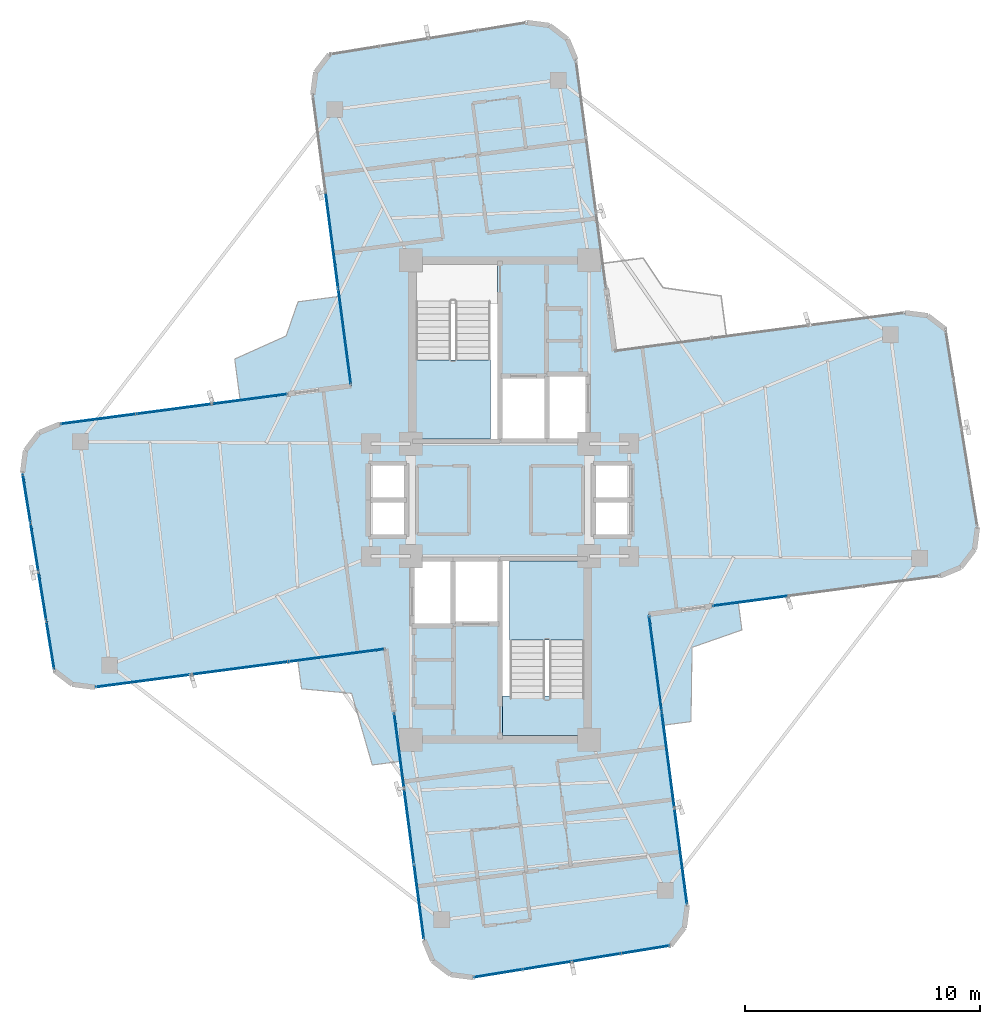
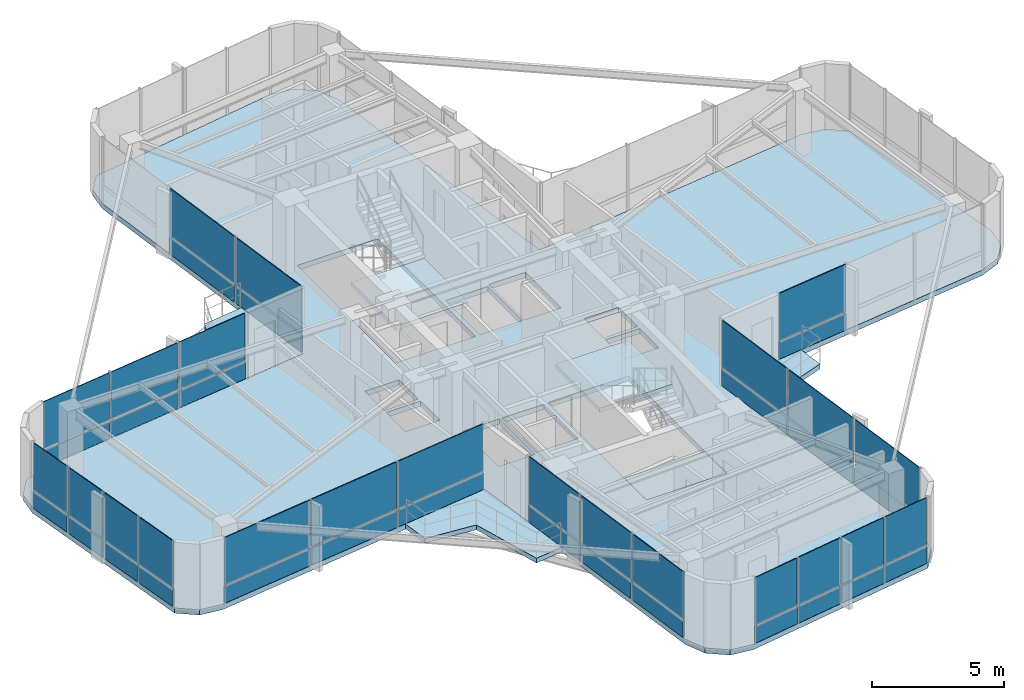
# One storey, part 16 of 21: 46 plates, 7 slabs, 10 elements without a shape of their own.
"""IFC4 building model written with IfcOpenShell, lengths in metres."""

from ifc_helpers import new_model, si_unit, direction, frame, origin, origin_2d, place, context, subcontext, project, spatial, polyline, rectangle, outline, extrude, source, transform, mapped, material, layer, layer_set, type_object, element, aggregate, save


model = new_model("IFC4")

# Units and contexts
model_context = context("Model", 3, precision=1e-05, world=origin(), true_north=direction((0.0, 1.0)))
body_context = subcontext(model_context, "Body", "Model", "MODEL_VIEW")
ifc_project = project(units=[si_unit("LENGTHUNIT", "METRE"), si_unit("AREAUNIT", "SQUARE_METRE"), si_unit("VOLUMEUNIT", "CUBIC_METRE"), si_unit("PLANEANGLEUNIT", "RADIAN"), si_unit("MASSUNIT", "GRAM", prefix="KILO")], contexts=[model_context])

# Site, building, storey
site_placement = place(None, origin())
site = spatial("IfcSite", under=ifc_project, at=site_placement, CompositionType="ELEMENT")
building_placement = place(site_placement, origin())
building = spatial("IfcBuilding", under=site, at=building_placement, Name="Sahyath Konkavel Grand Hotel", CompositionType="ELEMENT")
storey_placement = place(building_placement, frame((0.0, 0.0, 213.199951171875)))
storey = spatial("IfcBuildingStorey", under=building, at=storey_placement, Name="L59", CompositionType="ELEMENT", Elevation=213.199951171875)

# Slabs
ifc_material_1 = material(Name="Concrete C40/50", Category="concrete")
ifc_layer_1 = layer(ifc_material_1, 0.239990234375)
ifc_layer_set_1 = layer_set([ifc_layer_1], Name="Concrete C40/50")
slab_type_1 = type_object("IfcSlabType", Name="SLB-240", PredefinedType="FLOOR", material=ifc_layer_set_1)
slab_1_placement = place(storey_placement, frame((0.0, 0.0, -0.239990234375)))
element("IfcSlab", 1, at=slab_1_placement, inside=storey, type_object=slab_type_1, Name="L59 Structural Floor Slab", PredefinedType="FLOOR", context=body_context, shape_type="SweptSolid", body=[
    extrude(outline(polyline([(6.339111328125, -4.8642578125), (18.732177734375, -3.232666015625), (19.616943359375, -2.8662109375), (20.199951171875, -2.1064453125), (20.324951171875, -1.156982421875), (18.96630859375, 7.2626953125), (18.206787109375, 7.845703125), (17.25732421875, 7.970703125), (4.8642578125, 6.339111328125), (3.232666015625, 18.732177734375), (2.8662109375, 19.616943359375), (2.1064453125, 20.199951171875), (1.156982421875, 20.324951171875), (-7.2626953125, 18.96630859375), (-7.845703125, 18.206787109375), (-7.970703125, 17.25732421875), (-6.339111328125, 4.8642578125), (-18.732177734375, 3.232666015625), (-19.616943359375, 2.8662109375), (-20.199951171875, 2.1064453125), (-20.324951171875, 1.156982421875), (-18.96630859375, -7.2626953125), (-18.206787109375, -7.845703125), (-17.25732421875, -7.970703125), (-4.8642578125, -6.339111328125), (-3.232666015625, -18.732177734375), (-2.8662109375, -19.616943359375), (-2.1064453125, -20.199951171875), (-1.156982421875, -20.324951171875), (7.2626953125, -18.96630859375), (7.845703125, -18.206787109375), (7.970703125, -17.25732421875), (6.339111328125, -4.8642578125)]), holes=[polyline([(-3.6201171875, 2.580078125), (-0.10009765625, 2.580078125), (-0.10009765625, 10.02001953125), (-3.6201171875, 10.02001953125), (-3.6201171875, 2.580078125)]), polyline([(0.10009765625, -10.02001953125), (3.6201171875, -10.02001953125), (3.6201171875, -2.580078125), (0.10009765625, -2.580078125), (0.10009765625, -10.02001953125)]), polyline([(0.10009765625, 2.60009765625), (1.949951171875, 2.60009765625), (1.949951171875, 5.199951171875), (0.10009765625, 5.199951171875), (0.10009765625, 2.60009765625)]), polyline([(-1.949951171875, -5.199951171875), (-0.10009765625, -5.199951171875), (-0.10009765625, -2.60009765625), (-1.949951171875, -2.60009765625), (-1.949951171875, -5.199951171875)]), polyline([(2.050048828125, 2.60009765625), (3.64990234375, 2.60009765625), (3.64990234375, 5.300048828125), (2.050048828125, 5.300048828125), (2.050048828125, 2.60009765625)]), polyline([(-3.64990234375, -5.300048828125), (-2.050048828125, -5.300048828125), (-2.050048828125, -2.60009765625), (-3.64990234375, -2.60009765625), (-3.64990234375, -5.300048828125)]), polyline([(4.050048828125, 0.080078125), (5.550048828125, 0.080078125), (5.550048828125, 1.5400390625), (4.050048828125, 1.5400390625), (4.050048828125, 0.080078125)]), polyline([(4.050048828125, -1.5400390625), (5.550048828125, -1.5400390625), (5.550048828125, -0.080078125), (4.050048828125, -0.080078125), (4.050048828125, -1.5400390625)]), polyline([(-5.550048828125, 0.080078125), (-4.050048828125, 0.080078125), (-4.050048828125, 1.5400390625), (-5.550048828125, 1.5400390625), (-5.550048828125, 0.080078125)]), polyline([(-5.550048828125, -1.5400390625), (-4.050048828125, -1.5400390625), (-4.050048828125, -0.080078125), (-5.550048828125, -0.080078125), (-5.550048828125, -1.5400390625)])]), origin(), (0.0, 0.0, 1.0), 0.239990234375),
])
ifc_layer_2 = layer(ifc_material_1, 0.219970703125)
ifc_layer_set_2 = layer_set([ifc_layer_2], Name="Concrete C40/50")
slab_type_2 = type_object("IfcSlabType", Name="SLB-BALCONY-220", PredefinedType="FLOOR", material=ifc_layer_set_2)
slab_2_placement = place(storey_placement, frame((0.0, 0.0, -0.219970703125)))
element("IfcSlab", 2, at=slab_2_placement, inside=storey, type_object=slab_type_2, Name="L59 Winter-Garden Balcony NW", PredefinedType="FLOOR", context=body_context, shape_type="SweptSolid", body=[
    extrude(outline(polyline([(-6.339111328125, 4.8642578125), (-6.840087890625, 8.66845703125), (-8.59814453125, 8.43701171875), (-9.1025390625, 6.984619140625), (-11.29296875, 6.000732421875), (-11.061279296875, 4.242431640625), (-6.339111328125, 4.8642578125)])), origin(), (0.0, 0.0, 1.0), 0.219970703125),
])
slab_3_placement = place(storey_placement, frame((0.0, 0.0, -0.219970703125)))
element("IfcSlab", 3, at=slab_3_placement, inside=storey, type_object=slab_type_2, Name="L59 Winter-Garden Balcony SW", PredefinedType="FLOOR", context=body_context, shape_type="SweptSolid", body=[
    extrude(outline(polyline([(-4.8642578125, -6.339111328125), (-8.60693359375, -6.831787109375), (-8.448486328125, -8.035400390625), (-6.315673828125, -8.230712890625), (-5.43798828125, -11.28125), (-4.234375, -11.122802734375), (-4.8642578125, -6.339111328125)])), origin(), (0.0, 0.0, 1.0), 0.219970703125),
])
slab_4_placement = place(storey_placement, frame((0.0, 0.0, -0.219970703125)))
element("IfcSlab", 4, at=slab_4_placement, inside=storey, type_object=slab_type_2, Name="L59 Winter-Garden Balcony SE", PredefinedType="FLOOR", context=body_context, shape_type="SweptSolid", body=[
    extrude(outline(polyline([(6.339111328125, -4.8642578125), (6.960693359375, -9.58642578125), (8.12939453125, -9.4326171875), (8.17578125, -6.2734375), (10.297119140625, -5.531982421875), (10.143310546875, -4.36328125), (6.339111328125, -4.8642578125)])), origin(), (0.0, 0.0, 1.0), 0.219970703125),
])

# Stair, slab
stair_type = type_object("IfcStairType", Name="STR-ST16-335", PredefinedType="HALF_TURN_STAIR", material=ifc_material_1)
stair_1_placement = place(storey_placement, origin())
stair_1 = element("IfcStair", 5, at=stair_1_placement, inside=storey, type_object=stair_type, Name="L59 North Core Smokeproof Exit Stair ST-1", PredefinedType="HALF_TURN_STAIR")
ifc_layer_3 = layer(ifc_material_1, 0.199951171875)
ifc_layer_set_3 = layer_set([ifc_layer_3], Name="Concrete C40/50")
slab_type_3 = type_object("IfcSlabType", Name="SLB-STAIR-LND", PredefinedType="LANDING", material=ifc_layer_set_3)
slab_5_placement = place(storey_placement, frame((0.0, 0.0, 1.47509765625)))
slab_5 = element("IfcSlab", 6, at=slab_5_placement, type_object=slab_type_3, Name="ST-1 landing 1", PredefinedType="LANDING", context=body_context, shape_type="SweptSolid", body=[
    extrude(outline(polyline([(-3.60009765625, 5.9599609375), (-3.60009765625, 2.60009765625), (-0.39990234375, 2.60009765625), (-0.39990234375, 5.9599609375), (-3.60009765625, 5.9599609375)])), origin(), (0.0, 0.0, 1.0), 0.199951171875),
])
aggregate(stair_1, [slab_5])

stair_2_placement = place(storey_placement, origin())
stair_2 = element("IfcStair", 7, at=stair_2_placement, inside=storey, type_object=stair_type, Name="L59 South Core Smokeproof Exit Stair ST-2", PredefinedType="HALF_TURN_STAIR")
slab_6_placement = place(storey_placement, frame((0.0, 0.0, 1.47509765625)))
slab_6 = element("IfcSlab", 8, at=slab_6_placement, type_object=slab_type_3, Name="ST-2 landing 1", PredefinedType="LANDING", context=body_context, shape_type="SweptSolid", body=[
    extrude(outline(polyline([(3.60009765625, -5.9599609375), (3.60009765625, -2.60009765625), (0.39990234375, -2.60009765625), (0.39990234375, -5.9599609375), (3.60009765625, -5.9599609375)])), origin(), (0.0, 0.0, 1.0), 0.199951171875),
])
aggregate(stair_2, [slab_6])

# Slab
slab_7_placement = place(storey_placement, frame((0.0, 0.0, -0.199951171875)))
element("IfcSlab", 9, at=slab_7_placement, inside=storey, type_object=slab_type_3, Name="L59 Stair ST-2 Floor Landing Slab", PredefinedType="LANDING", context=body_context, shape_type="SweptSolid", body=[
    extrude(outline(polyline([(0.10009765625, -10.02001953125), (3.6201171875, -10.02001953125), (3.6201171875, -8.35009765625), (0.10009765625, -8.35009765625), (0.10009765625, -10.02001953125)])), origin(), (0.0, 0.0, 1.0), 0.199951171875),
])

# Curtain wall, plate
ifc_material_2 = material(Name="Anodised Bronze Aluminium & Low-E Glazing", Category="aluminium")
curtain_wall_type = type_object("IfcCurtainWallType", Name="CW-ZONE4", PredefinedType="NOTDEFINED", material=ifc_material_2)
curtain_wall_1_placement = place(storey_placement, origin())
curtain_wall_1 = element("IfcCurtainWall", 10, at=curtain_wall_1_placement, inside=storey, type_object=curtain_wall_type, Name="L59 Unitised Curtain Wall F0", PredefinedType="NOTDEFINED")
ifc_material_3 = material(Name="Warm Buff Sandstone Cladding", Category="masonry")
ifc_layer_4 = layer(ifc_material_3, 0.074951171875)
ifc_layer_set_4 = layer_set([ifc_layer_4], Name="Warm Buff Sandstone Cladding")
plate_type_1 = type_object("IfcPlateType", Name="PNL-SPANDREL-STONE", PredefinedType="SHEET", material=ifc_layer_set_4)
shared_shape_1 = source(origin(), body_context, "Body", "SweptSolid", [
    extrude(rectangle(XDim=3.159912109375, YDim=0.074951171875, at=origin_2d()), origin(), (0.0, 0.0, 1.0), 0.77001953125),
])
plate_1_placement = place(storey_placement, frame((10.661865234375, -4.295166015625, 0.0400390625), z_axis=(0.0, 0.0, 1.0), x_axis=(0.991444861374, 0.13052619222, 0.0)))
plate_1 = element("IfcPlate", 11, at=plate_1_placement, type_object=plate_type_1, Name="L59 Sandstone Relief Spandrel Panel F0-0", PredefinedType="SHEET", context=body_context, shape_type="MappedRepresentation", body=[
    mapped(shared_shape_1, transform((0.0, 0.0, 0.0), scale=1.0)),
])

# Curtain wall, plates
curtain_wall_2_placement = place(storey_placement, origin())
curtain_wall_2 = element("IfcCurtainWall", 12, at=curtain_wall_2_placement, inside=storey, type_object=curtain_wall_type, Name="L59 Unitised Curtain Wall F16", PredefinedType="NOTDEFINED")
plate_2_placement = place(storey_placement, frame((-10.661865234375, 4.295166015625, 0.0400390625), z_axis=(0.0, 0.0, 1.0), x_axis=(-0.991444861374, -0.13052619222, 0.0)))
plate_2 = element("IfcPlate", 13, at=plate_2_placement, type_object=plate_type_1, Name="L59 Sandstone Relief Spandrel Panel F16-0", PredefinedType="SHEET", context=body_context, shape_type="MappedRepresentation", body=[
    mapped(shared_shape_1, transform((0.0, 0.0, 0.0), scale=1.0)),
])
plate_3_placement = place(storey_placement, frame((-13.8740234375, 3.872314453125, 0.0400390625), z_axis=(0.0, 0.0, 1.0), x_axis=(-0.991444861374, -0.13052619222, 0.0)))
plate_3 = element("IfcPlate", 14, at=plate_3_placement, type_object=plate_type_1, Name="L59 Sandstone Relief Spandrel Panel F16-1", PredefinedType="SHEET", context=body_context, shape_type="MappedRepresentation", body=[
    mapped(shared_shape_1, transform((0.0, 0.0, 0.0), scale=1.0)),
])
plate_4_placement = place(storey_placement, frame((-17.086181640625, 3.44921875, 0.0400390625), z_axis=(0.0, 0.0, 1.0), x_axis=(-0.991444861374, -0.13052619222, 0.0)))
plate_4 = element("IfcPlate", 15, at=plate_4_placement, type_object=plate_type_1, Name="L59 Sandstone Relief Spandrel Panel F16-2", PredefinedType="SHEET", context=body_context, shape_type="MappedRepresentation", body=[
    mapped(shared_shape_1, transform((0.0, 0.0, 0.0), scale=1.0)),
])

curtain_wall_3_placement = place(storey_placement, origin())
curtain_wall_3 = element("IfcCurtainWall", 16, at=curtain_wall_3_placement, inside=storey, type_object=curtain_wall_type, Name="L59 Unitised Curtain Wall F24", PredefinedType="NOTDEFINED")
plate_5_placement = place(storey_placement, frame((-4.295166015625, -10.661865234375, 0.0400390625), z_axis=(0.0, 0.0, 1.0), x_axis=(0.13052619222, -0.991444861374, 0.0)))
plate_5 = element("IfcPlate", 17, at=plate_5_placement, type_object=plate_type_1, Name="L59 Sandstone Relief Spandrel Panel F24-0", PredefinedType="SHEET", context=body_context, shape_type="MappedRepresentation", body=[
    mapped(shared_shape_1, transform((0.0, 0.0, 0.0), scale=1.0)),
])
plate_6_placement = place(storey_placement, frame((-3.872314453125, -13.8740234375, 0.0400390625), z_axis=(0.0, 0.0, 1.0), x_axis=(0.13052619222, -0.991444861374, 0.0)))
plate_6 = element("IfcPlate", 18, at=plate_6_placement, type_object=plate_type_1, Name="L59 Sandstone Relief Spandrel Panel F24-1", PredefinedType="SHEET", context=body_context, shape_type="MappedRepresentation", body=[
    mapped(shared_shape_1, transform((0.0, 0.0, 0.0), scale=1.0)),
])
plate_7_placement = place(storey_placement, frame((-3.44921875, -17.086181640625, 0.0400390625), z_axis=(0.0, 0.0, 1.0), x_axis=(0.13052619222, -0.991444861374, 0.0)))
plate_7 = element("IfcPlate", 19, at=plate_7_placement, type_object=plate_type_1, Name="L59 Sandstone Relief Spandrel Panel F24-2", PredefinedType="SHEET", context=body_context, shape_type="MappedRepresentation", body=[
    mapped(shared_shape_1, transform((0.0, 0.0, 0.0), scale=1.0)),
])

# Plate
ifc_material_4 = material(Name="Low-E Solar Control Double Glazing", Category="glass")
ifc_layer_5 = layer(ifc_material_4, 0.035888671875)
ifc_layer_set_5 = layer_set([ifc_layer_5], Name="Low-E Solar Control Double Glazing")
plate_type_2 = type_object("IfcPlateType", Name="PNL-VISION-LOWE", PredefinedType="CURTAIN_PANEL", material=ifc_layer_set_5)
shared_shape_2 = source(origin(), body_context, "Body", "SweptSolid", [
    extrude(rectangle(XDim=3.159912109375, YDim=0.035888671875, at=origin_2d()), origin(), (0.0, 0.0, 1.0), 2.179931640625),
])
plate_8_placement = place(storey_placement, frame((10.661865234375, -4.295166015625, 0.89013671875), z_axis=(0.0, 0.0, 1.0), x_axis=(0.991444861374, 0.13052619222, 0.0)))
plate_8 = element("IfcPlate", 20, at=plate_8_placement, type_object=plate_type_2, Name="L59 Low-E Vision Glazing Panel F0-0", PredefinedType="CURTAIN_PANEL", context=body_context, shape_type="MappedRepresentation", body=[
    mapped(shared_shape_2, transform((0.0, 0.0, 0.0), scale=1.0)),
])

aggregate(curtain_wall_1, [plate_1, plate_8])

plate_9_placement = place(storey_placement, frame((-10.661865234375, 4.295166015625, 0.89013671875), z_axis=(0.0, 0.0, 1.0), x_axis=(-0.991444861374, -0.13052619222, 0.0)))
plate_9 = element("IfcPlate", 21, at=plate_9_placement, type_object=plate_type_2, Name="L59 Low-E Vision Glazing Panel F16-0", PredefinedType="CURTAIN_PANEL", context=body_context, shape_type="MappedRepresentation", body=[
    mapped(shared_shape_2, transform((0.0, 0.0, 0.0), scale=1.0)),
])

plate_10_placement = place(storey_placement, frame((-13.8740234375, 3.872314453125, 0.89013671875), z_axis=(0.0, 0.0, 1.0), x_axis=(-0.991444861374, -0.13052619222, 0.0)))
plate_10 = element("IfcPlate", 22, at=plate_10_placement, type_object=plate_type_2, Name="L59 Low-E Vision Glazing Panel F16-1", PredefinedType="CURTAIN_PANEL", context=body_context, shape_type="MappedRepresentation", body=[
    mapped(shared_shape_2, transform((0.0, 0.0, 0.0), scale=1.0)),
])

plate_11_placement = place(storey_placement, frame((-17.086181640625, 3.44921875, 0.89013671875), z_axis=(0.0, 0.0, 1.0), x_axis=(-0.991444861374, -0.13052619222, 0.0)))
plate_11 = element("IfcPlate", 23, at=plate_11_placement, type_object=plate_type_2, Name="L59 Low-E Vision Glazing Panel F16-2", PredefinedType="CURTAIN_PANEL", context=body_context, shape_type="MappedRepresentation", body=[
    mapped(shared_shape_2, transform((0.0, 0.0, 0.0), scale=1.0)),
])

aggregate(curtain_wall_2, [plate_2, plate_9, plate_3, plate_10, plate_4, plate_11])

plate_12_placement = place(storey_placement, frame((-4.295166015625, -10.661865234375, 0.89013671875), z_axis=(0.0, 0.0, 1.0), x_axis=(0.13052619222, -0.991444861374, 0.0)))
plate_12 = element("IfcPlate", 24, at=plate_12_placement, type_object=plate_type_2, Name="L59 Low-E Vision Glazing Panel F24-0", PredefinedType="CURTAIN_PANEL", context=body_context, shape_type="MappedRepresentation", body=[
    mapped(shared_shape_2, transform((0.0, 0.0, 0.0), scale=1.0)),
])

plate_13_placement = place(storey_placement, frame((-3.872314453125, -13.8740234375, 0.89013671875), z_axis=(0.0, 0.0, 1.0), x_axis=(0.13052619222, -0.991444861374, 0.0)))
plate_13 = element("IfcPlate", 25, at=plate_13_placement, type_object=plate_type_2, Name="L59 Low-E Vision Glazing Panel F24-1", PredefinedType="CURTAIN_PANEL", context=body_context, shape_type="MappedRepresentation", body=[
    mapped(shared_shape_2, transform((0.0, 0.0, 0.0), scale=1.0)),
])

plate_14_placement = place(storey_placement, frame((-3.44921875, -17.086181640625, 0.89013671875), z_axis=(0.0, 0.0, 1.0), x_axis=(0.13052619222, -0.991444861374, 0.0)))
plate_14 = element("IfcPlate", 26, at=plate_14_placement, type_object=plate_type_2, Name="L59 Low-E Vision Glazing Panel F24-2", PredefinedType="CURTAIN_PANEL", context=body_context, shape_type="MappedRepresentation", body=[
    mapped(shared_shape_2, transform((0.0, 0.0, 0.0), scale=1.0)),
])

aggregate(curtain_wall_3, [plate_5, plate_12, plate_6, plate_13, plate_7, plate_14])

# Curtain wall, plates
curtain_wall_4_placement = place(storey_placement, origin())
curtain_wall_4 = element("IfcCurtainWall", 27, at=curtain_wall_4_placement, inside=storey, type_object=curtain_wall_type, Name="L59 Unitised Curtain Wall F20", PredefinedType="NOTDEFINED")
shared_shape_3 = source(origin(), body_context, "Body", "SweptSolid", [
    extrude(rectangle(XDim=2.031982421875, YDim=0.074951171875, at=origin_2d()), origin(), (0.0, 0.0, 1.0), 0.77001953125),
])
plate_15_placement = place(storey_placement, frame((-20.150390625, 0.074951171875, 0.0400390625), z_axis=(0.0, 0.0, 1.0), x_axis=(0.159295381124, -0.98723096667, 0.0)))
plate_15 = element("IfcPlate", 28, at=plate_15_placement, type_object=plate_type_1, Name="L59 Sandstone Relief Spandrel Panel F20-0", PredefinedType="SHEET", context=body_context, shape_type="MappedRepresentation", body=[
    mapped(shared_shape_3, transform((0.0, 0.0, 0.0), scale=1.0)),
])
plate_16_placement = place(storey_placement, frame((-19.81396484375, -2.01025390625, 0.0400390625), z_axis=(0.0, 0.0, 1.0), x_axis=(0.159295381124, -0.98723096667, 0.0)))
plate_16 = element("IfcPlate", 29, at=plate_16_placement, type_object=plate_type_1, Name="L59 Sandstone Relief Spandrel Panel F20-1", PredefinedType="SHEET", context=body_context, shape_type="MappedRepresentation", body=[
    mapped(shared_shape_3, transform((0.0, 0.0, 0.0), scale=1.0)),
])
plate_17_placement = place(storey_placement, frame((-19.477294921875, -4.095458984375, 0.0400390625), z_axis=(0.0, 0.0, 1.0), x_axis=(0.159295381124, -0.98723096667, 0.0)))
plate_17 = element("IfcPlate", 30, at=plate_17_placement, type_object=plate_type_1, Name="L59 Sandstone Relief Spandrel Panel F20-2", PredefinedType="SHEET", context=body_context, shape_type="MappedRepresentation", body=[
    mapped(shared_shape_3, transform((0.0, 0.0, 0.0), scale=1.0)),
])
plate_18_placement = place(storey_placement, frame((-19.14111328125, -6.1806640625, 0.0400390625), z_axis=(0.0, 0.0, 1.0), x_axis=(0.159295381124, -0.98723096667, 0.0)))
plate_18 = element("IfcPlate", 31, at=plate_18_placement, type_object=plate_type_1, Name="L59 Sandstone Relief Spandrel Panel F20-3", PredefinedType="SHEET", context=body_context, shape_type="MappedRepresentation", body=[
    mapped(shared_shape_3, transform((0.0, 0.0, 0.0), scale=1.0)),
])

curtain_wall_5_placement = place(storey_placement, origin())
curtain_wall_5 = element("IfcCurtainWall", 32, at=curtain_wall_5_placement, inside=storey, type_object=curtain_wall_type, Name="L59 Unitised Curtain Wall F28", PredefinedType="NOTDEFINED")
plate_19_placement = place(storey_placement, frame((-0.074951171875, -20.150390625, 0.0400390625), z_axis=(0.0, 0.0, 1.0), x_axis=(0.98723096667, 0.159295381124, 0.0)))
plate_19 = element("IfcPlate", 33, at=plate_19_placement, type_object=plate_type_1, Name="L59 Sandstone Relief Spandrel Panel F28-0", PredefinedType="SHEET", context=body_context, shape_type="MappedRepresentation", body=[
    mapped(shared_shape_3, transform((0.0, 0.0, 0.0), scale=1.0)),
])
plate_20_placement = place(storey_placement, frame((2.01025390625, -19.81396484375, 0.0400390625), z_axis=(0.0, 0.0, 1.0), x_axis=(0.98723096667, 0.159295381124, 0.0)))
plate_20 = element("IfcPlate", 34, at=plate_20_placement, type_object=plate_type_1, Name="L59 Sandstone Relief Spandrel Panel F28-1", PredefinedType="SHEET", context=body_context, shape_type="MappedRepresentation", body=[
    mapped(shared_shape_3, transform((0.0, 0.0, 0.0), scale=1.0)),
])
plate_21_placement = place(storey_placement, frame((4.095458984375, -19.477294921875, 0.0400390625), z_axis=(0.0, 0.0, 1.0), x_axis=(0.98723096667, 0.159295381124, 0.0)))
plate_21 = element("IfcPlate", 35, at=plate_21_placement, type_object=plate_type_1, Name="L59 Sandstone Relief Spandrel Panel F28-2", PredefinedType="SHEET", context=body_context, shape_type="MappedRepresentation", body=[
    mapped(shared_shape_3, transform((0.0, 0.0, 0.0), scale=1.0)),
])
plate_22_placement = place(storey_placement, frame((6.1806640625, -19.14111328125, 0.0400390625), z_axis=(0.0, 0.0, 1.0), x_axis=(0.98723096667, 0.159295381124, 0.0)))
plate_22 = element("IfcPlate", 36, at=plate_22_placement, type_object=plate_type_1, Name="L59 Sandstone Relief Spandrel Panel F28-3", PredefinedType="SHEET", context=body_context, shape_type="MappedRepresentation", body=[
    mapped(shared_shape_3, transform((0.0, 0.0, 0.0), scale=1.0)),
])

# Plate
shared_shape_4 = source(origin(), body_context, "Body", "SweptSolid", [
    extrude(rectangle(XDim=2.031982421875, YDim=0.035888671875, at=origin_2d()), origin(), (0.0, 0.0, 1.0), 2.179931640625),
])
plate_23_placement = place(storey_placement, frame((-20.150390625, 0.074951171875, 0.89013671875), z_axis=(0.0, 0.0, 1.0), x_axis=(0.159295381124, -0.98723096667, 0.0)))
plate_23 = element("IfcPlate", 37, at=plate_23_placement, type_object=plate_type_2, Name="L59 Low-E Vision Glazing Panel F20-0", PredefinedType="CURTAIN_PANEL", context=body_context, shape_type="MappedRepresentation", body=[
    mapped(shared_shape_4, transform((0.0, 0.0, 0.0), scale=1.0)),
])

plate_24_placement = place(storey_placement, frame((-19.81396484375, -2.01025390625, 0.89013671875), z_axis=(0.0, 0.0, 1.0), x_axis=(0.159295381124, -0.98723096667, 0.0)))
plate_24 = element("IfcPlate", 38, at=plate_24_placement, type_object=plate_type_2, Name="L59 Low-E Vision Glazing Panel F20-1", PredefinedType="CURTAIN_PANEL", context=body_context, shape_type="MappedRepresentation", body=[
    mapped(shared_shape_4, transform((0.0, 0.0, 0.0), scale=1.0)),
])

plate_25_placement = place(storey_placement, frame((-19.477294921875, -4.095458984375, 0.89013671875), z_axis=(0.0, 0.0, 1.0), x_axis=(0.159295381124, -0.98723096667, 0.0)))
plate_25 = element("IfcPlate", 39, at=plate_25_placement, type_object=plate_type_2, Name="L59 Low-E Vision Glazing Panel F20-2", PredefinedType="CURTAIN_PANEL", context=body_context, shape_type="MappedRepresentation", body=[
    mapped(shared_shape_4, transform((0.0, 0.0, 0.0), scale=1.0)),
])

plate_26_placement = place(storey_placement, frame((-19.14111328125, -6.1806640625, 0.89013671875), z_axis=(0.0, 0.0, 1.0), x_axis=(0.159295381124, -0.98723096667, 0.0)))
plate_26 = element("IfcPlate", 40, at=plate_26_placement, type_object=plate_type_2, Name="L59 Low-E Vision Glazing Panel F20-3", PredefinedType="CURTAIN_PANEL", context=body_context, shape_type="MappedRepresentation", body=[
    mapped(shared_shape_4, transform((0.0, 0.0, 0.0), scale=1.0)),
])

aggregate(curtain_wall_4, [plate_15, plate_23, plate_16, plate_24, plate_17, plate_25, plate_18, plate_26])

plate_27_placement = place(storey_placement, frame((-0.074951171875, -20.150390625, 0.89013671875), z_axis=(0.0, 0.0, 1.0), x_axis=(0.98723096667, 0.159295381124, 0.0)))
plate_27 = element("IfcPlate", 41, at=plate_27_placement, type_object=plate_type_2, Name="L59 Low-E Vision Glazing Panel F28-0", PredefinedType="CURTAIN_PANEL", context=body_context, shape_type="MappedRepresentation", body=[
    mapped(shared_shape_4, transform((0.0, 0.0, 0.0), scale=1.0)),
])

plate_28_placement = place(storey_placement, frame((2.01025390625, -19.81396484375, 0.89013671875), z_axis=(0.0, 0.0, 1.0), x_axis=(0.98723096667, 0.159295381124, 0.0)))
plate_28 = element("IfcPlate", 42, at=plate_28_placement, type_object=plate_type_2, Name="L59 Low-E Vision Glazing Panel F28-1", PredefinedType="CURTAIN_PANEL", context=body_context, shape_type="MappedRepresentation", body=[
    mapped(shared_shape_4, transform((0.0, 0.0, 0.0), scale=1.0)),
])

plate_29_placement = place(storey_placement, frame((4.095458984375, -19.477294921875, 0.89013671875), z_axis=(0.0, 0.0, 1.0), x_axis=(0.98723096667, 0.159295381124, 0.0)))
plate_29 = element("IfcPlate", 43, at=plate_29_placement, type_object=plate_type_2, Name="L59 Low-E Vision Glazing Panel F28-2", PredefinedType="CURTAIN_PANEL", context=body_context, shape_type="MappedRepresentation", body=[
    mapped(shared_shape_4, transform((0.0, 0.0, 0.0), scale=1.0)),
])

plate_30_placement = place(storey_placement, frame((6.1806640625, -19.14111328125, 0.89013671875), z_axis=(0.0, 0.0, 1.0), x_axis=(0.98723096667, 0.159295381124, 0.0)))
plate_30 = element("IfcPlate", 44, at=plate_30_placement, type_object=plate_type_2, Name="L59 Low-E Vision Glazing Panel F28-3", PredefinedType="CURTAIN_PANEL", context=body_context, shape_type="MappedRepresentation", body=[
    mapped(shared_shape_4, transform((0.0, 0.0, 0.0), scale=1.0)),
])

aggregate(curtain_wall_5, [plate_19, plate_27, plate_20, plate_28, plate_21, plate_29, plate_22, plate_30])

# Curtain wall, plates
curtain_wall_6_placement = place(storey_placement, origin())
curtain_wall_6 = element("IfcCurtainWall", 45, at=curtain_wall_6_placement, inside=storey, type_object=curtain_wall_type, Name="L59 Unitised Curtain Wall F15", PredefinedType="NOTDEFINED")
shared_shape_5 = source(origin(), body_context, "Body", "SweptSolid", [
    extrude(rectangle(XDim=4.06005859375, YDim=0.074951171875, at=origin_2d()), origin(), (0.0, 0.0, 1.0), 0.77001953125),
])
plate_31_placement = place(storey_placement, frame((-7.15478515625, 11.060791015625, 0.0400390625), z_axis=(0.0, 0.0, 1.0), x_axis=(0.13052619222, -0.991444861374, 0.0)))
plate_31 = element("IfcPlate", 46, at=plate_31_placement, type_object=plate_type_1, Name="L59 Sandstone Relief Spandrel Panel F15-1", PredefinedType="SHEET", context=body_context, shape_type="MappedRepresentation", body=[
    mapped(shared_shape_5, transform((0.0, 0.0, 0.0), scale=1.0)),
])
plate_32_placement = place(storey_placement, frame((-6.614501953125, 6.956298828125, 0.0400390625), z_axis=(0.0, 0.0, 1.0), x_axis=(0.13052619222, -0.991444861374, 0.0)))
plate_32 = element("IfcPlate", 47, at=plate_32_placement, type_object=plate_type_1, Name="L59 Sandstone Relief Spandrel Panel F15-2", PredefinedType="SHEET", context=body_context, shape_type="MappedRepresentation", body=[
    mapped(shared_shape_5, transform((0.0, 0.0, 0.0), scale=1.0)),
])

curtain_wall_7_placement = place(storey_placement, origin())
curtain_wall_7 = element("IfcCurtainWall", 48, at=curtain_wall_7_placement, inside=storey, type_object=curtain_wall_type, Name="L59 Unitised Curtain Wall F23", PredefinedType="NOTDEFINED")
plate_33_placement = place(storey_placement, frame((-15.165283203125, -7.6953125, 0.0400390625), z_axis=(0.0, 0.0, 1.0), x_axis=(0.991444861374, 0.13052619222, 0.0)))
plate_33 = element("IfcPlate", 49, at=plate_33_placement, type_object=plate_type_1, Name="L59 Sandstone Relief Spandrel Panel F23-0", PredefinedType="SHEET", context=body_context, shape_type="MappedRepresentation", body=[
    mapped(shared_shape_5, transform((0.0, 0.0, 0.0), scale=1.0)),
])
plate_34_placement = place(storey_placement, frame((-11.060791015625, -7.15478515625, 0.0400390625), z_axis=(0.0, 0.0, 1.0), x_axis=(0.991444861374, 0.13052619222, 0.0)))
plate_34 = element("IfcPlate", 50, at=plate_34_placement, type_object=plate_type_1, Name="L59 Sandstone Relief Spandrel Panel F23-1", PredefinedType="SHEET", context=body_context, shape_type="MappedRepresentation", body=[
    mapped(shared_shape_5, transform((0.0, 0.0, 0.0), scale=1.0)),
])
plate_35_placement = place(storey_placement, frame((-6.956298828125, -6.614501953125, 0.0400390625), z_axis=(0.0, 0.0, 1.0), x_axis=(0.991444861374, 0.13052619222, 0.0)))
plate_35 = element("IfcPlate", 51, at=plate_35_placement, type_object=plate_type_1, Name="L59 Sandstone Relief Spandrel Panel F23-2", PredefinedType="SHEET", context=body_context, shape_type="MappedRepresentation", body=[
    mapped(shared_shape_5, transform((0.0, 0.0, 0.0), scale=1.0)),
])

curtain_wall_8_placement = place(storey_placement, origin())
curtain_wall_8 = element("IfcCurtainWall", 52, at=curtain_wall_8_placement, inside=storey, type_object=curtain_wall_type, Name="L59 Unitised Curtain Wall F31", PredefinedType="NOTDEFINED")
plate_36_placement = place(storey_placement, frame((7.6953125, -15.165283203125, 0.0400390625), z_axis=(0.0, 0.0, 1.0), x_axis=(-0.13052619222, 0.991444861374, 0.0)))
plate_36 = element("IfcPlate", 53, at=plate_36_placement, type_object=plate_type_1, Name="L59 Sandstone Relief Spandrel Panel F31-0", PredefinedType="SHEET", context=body_context, shape_type="MappedRepresentation", body=[
    mapped(shared_shape_5, transform((0.0, 0.0, 0.0), scale=1.0)),
])
plate_37_placement = place(storey_placement, frame((7.15478515625, -11.060791015625, 0.0400390625), z_axis=(0.0, 0.0, 1.0), x_axis=(-0.13052619222, 0.991444861374, 0.0)))
plate_37 = element("IfcPlate", 54, at=plate_37_placement, type_object=plate_type_1, Name="L59 Sandstone Relief Spandrel Panel F31-1", PredefinedType="SHEET", context=body_context, shape_type="MappedRepresentation", body=[
    mapped(shared_shape_5, transform((0.0, 0.0, 0.0), scale=1.0)),
])
plate_38_placement = place(storey_placement, frame((6.614501953125, -6.956298828125, 0.0400390625), z_axis=(0.0, 0.0, 1.0), x_axis=(-0.13052619222, 0.991444861374, 0.0)))
plate_38 = element("IfcPlate", 55, at=plate_38_placement, type_object=plate_type_1, Name="L59 Sandstone Relief Spandrel Panel F31-2", PredefinedType="SHEET", context=body_context, shape_type="MappedRepresentation", body=[
    mapped(shared_shape_5, transform((0.0, 0.0, 0.0), scale=1.0)),
])

# Plate
shared_shape_6 = source(origin(), body_context, "Body", "SweptSolid", [
    extrude(rectangle(XDim=4.06005859375, YDim=0.035888671875, at=origin_2d()), origin(), (0.0, 0.0, 1.0), 2.179931640625),
])
plate_39_placement = place(storey_placement, frame((-7.15478515625, 11.060791015625, 0.89013671875), z_axis=(0.0, 0.0, 1.0), x_axis=(0.13052619222, -0.991444861374, 0.0)))
plate_39 = element("IfcPlate", 56, at=plate_39_placement, type_object=plate_type_2, Name="L59 Low-E Vision Glazing Panel F15-1", PredefinedType="CURTAIN_PANEL", context=body_context, shape_type="MappedRepresentation", body=[
    mapped(shared_shape_6, transform((0.0, 0.0, 0.0), scale=1.0)),
])

plate_40_placement = place(storey_placement, frame((-6.614501953125, 6.956298828125, 0.89013671875), z_axis=(0.0, 0.0, 1.0), x_axis=(0.13052619222, -0.991444861374, 0.0)))
plate_40 = element("IfcPlate", 57, at=plate_40_placement, type_object=plate_type_2, Name="L59 Low-E Vision Glazing Panel F15-2", PredefinedType="CURTAIN_PANEL", context=body_context, shape_type="MappedRepresentation", body=[
    mapped(shared_shape_6, transform((0.0, 0.0, 0.0), scale=1.0)),
])

aggregate(curtain_wall_6, [plate_31, plate_39, plate_32, plate_40])

plate_41_placement = place(storey_placement, frame((-15.165283203125, -7.6953125, 0.89013671875), z_axis=(0.0, 0.0, 1.0), x_axis=(0.991444861374, 0.13052619222, 0.0)))
plate_41 = element("IfcPlate", 58, at=plate_41_placement, type_object=plate_type_2, Name="L59 Low-E Vision Glazing Panel F23-0", PredefinedType="CURTAIN_PANEL", context=body_context, shape_type="MappedRepresentation", body=[
    mapped(shared_shape_6, transform((0.0, 0.0, 0.0), scale=1.0)),
])

plate_42_placement = place(storey_placement, frame((-11.060791015625, -7.15478515625, 0.89013671875), z_axis=(0.0, 0.0, 1.0), x_axis=(0.991444861374, 0.13052619222, 0.0)))
plate_42 = element("IfcPlate", 59, at=plate_42_placement, type_object=plate_type_2, Name="L59 Low-E Vision Glazing Panel F23-1", PredefinedType="CURTAIN_PANEL", context=body_context, shape_type="MappedRepresentation", body=[
    mapped(shared_shape_6, transform((0.0, 0.0, 0.0), scale=1.0)),
])

plate_43_placement = place(storey_placement, frame((-6.956298828125, -6.614501953125, 0.89013671875), z_axis=(0.0, 0.0, 1.0), x_axis=(0.991444861374, 0.13052619222, 0.0)))
plate_43 = element("IfcPlate", 60, at=plate_43_placement, type_object=plate_type_2, Name="L59 Low-E Vision Glazing Panel F23-2", PredefinedType="CURTAIN_PANEL", context=body_context, shape_type="MappedRepresentation", body=[
    mapped(shared_shape_6, transform((0.0, 0.0, 0.0), scale=1.0)),
])

aggregate(curtain_wall_7, [plate_33, plate_41, plate_34, plate_42, plate_35, plate_43])

plate_44_placement = place(storey_placement, frame((7.6953125, -15.165283203125, 0.89013671875), z_axis=(0.0, 0.0, 1.0), x_axis=(-0.13052619222, 0.991444861374, 0.0)))
plate_44 = element("IfcPlate", 61, at=plate_44_placement, type_object=plate_type_2, Name="L59 Low-E Vision Glazing Panel F31-0", PredefinedType="CURTAIN_PANEL", context=body_context, shape_type="MappedRepresentation", body=[
    mapped(shared_shape_6, transform((0.0, 0.0, 0.0), scale=1.0)),
])

plate_45_placement = place(storey_placement, frame((7.15478515625, -11.060791015625, 0.89013671875), z_axis=(0.0, 0.0, 1.0), x_axis=(-0.13052619222, 0.991444861374, 0.0)))
plate_45 = element("IfcPlate", 62, at=plate_45_placement, type_object=plate_type_2, Name="L59 Low-E Vision Glazing Panel F31-1", PredefinedType="CURTAIN_PANEL", context=body_context, shape_type="MappedRepresentation", body=[
    mapped(shared_shape_6, transform((0.0, 0.0, 0.0), scale=1.0)),
])

plate_46_placement = place(storey_placement, frame((6.614501953125, -6.956298828125, 0.89013671875), z_axis=(0.0, 0.0, 1.0), x_axis=(-0.13052619222, 0.991444861374, 0.0)))
plate_46 = element("IfcPlate", 63, at=plate_46_placement, type_object=plate_type_2, Name="L59 Low-E Vision Glazing Panel F31-2", PredefinedType="CURTAIN_PANEL", context=body_context, shape_type="MappedRepresentation", body=[
    mapped(shared_shape_6, transform((0.0, 0.0, 0.0), scale=1.0)),
])

aggregate(curtain_wall_8, [plate_36, plate_44, plate_37, plate_45, plate_38, plate_46])

save(model, "model.ifc")
